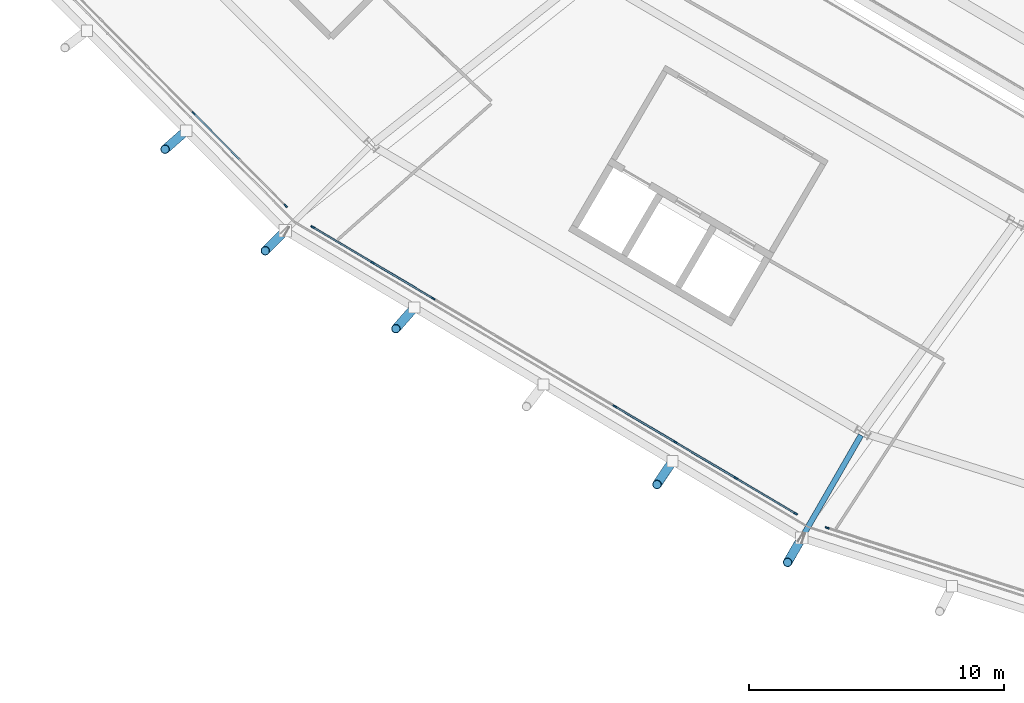
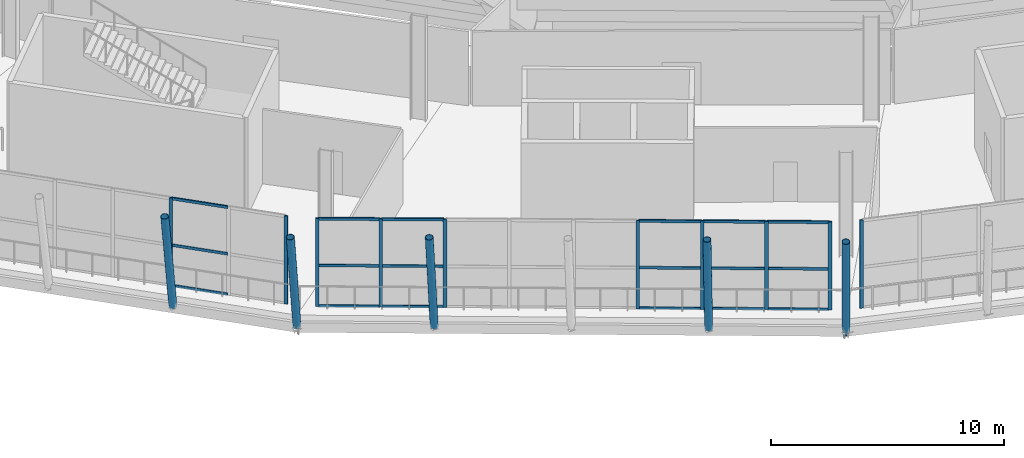
# One storey, part 12 of 126: 33 members, 1 beam, 3 elements without a shape of their own.
"""IFC4 building model written with IfcOpenShell, lengths in metres."""

from ifc_helpers import new_model, si_unit, direction, frame, origin, origin_2d, place, context, subcontext, project, spatial, rectangle, hollow_circle, i_section, extrude, material, material_profile, profile_set, type_object, element, aggregate, save


model = new_model("IFC4")

# Units and contexts
model_context = context("Model", 3, precision=1e-05, world=origin(), true_north=direction((0.0, 1.0)))
body_context = subcontext(model_context, "Body", "Model", "MODEL_VIEW")
ifc_project = project(units=[si_unit("LENGTHUNIT", "METRE"), si_unit("AREAUNIT", "SQUARE_METRE"), si_unit("VOLUMEUNIT", "CUBIC_METRE"), si_unit("PLANEANGLEUNIT", "RADIAN"), si_unit("MASSUNIT", "GRAM", prefix="KILO")], contexts=[model_context])

# Site, building, storey
site_placement = place(None, origin())
site = spatial("IfcSite", under=ifc_project, at=site_placement, CompositionType="ELEMENT")
building_placement = place(site_placement, origin())
building = spatial("IfcBuilding", under=site, at=building_placement, Name="Zlatoyarsky Gate Stadium", CompositionType="ELEMENT")
storey_placement = place(building_placement, frame((0.0, 0.0, 20.800048828125)))
storey = spatial("IfcBuildingStorey", under=building, at=storey_placement, Name="L04", CompositionType="ELEMENT", Elevation=20.800048828125)

# Curtain wall, members
ifc_material_1 = material(Name="Thermally broken anodised aluminium curtain wall", Category="aluminium")
curtain_wall_type = type_object("IfcCurtainWallType", Name="UNITISED MEDIA RING GLAZING L04", PredefinedType="USERDEFINED", material=ifc_material_1)
curtain_wall_1_placement = place(storey_placement, origin())
curtain_wall_1 = element("IfcCurtainWall", 1, at=curtain_wall_1_placement, inside=storey, type_object=curtain_wall_type, Name="Curtain wall CW-L04-14", ObjectType="UNITISED GLAZING", PredefinedType="USERDEFINED")
ifc_material_2 = material(Name="Anodised aluminium 6063-T6", Category="aluminium")
ifc_material_profile_1 = material_profile(ifc_material_2, rectangle(XDim=0.06494140625, YDim=0.159912109375, at=origin_2d()), Name="ALU 65X160")
ifc_profile_set_1 = profile_set([ifc_material_profile_1], Name="Anodised aluminium 6063-T6")
member_type_1 = type_object("IfcMemberType", Name="ALUMINIUM MULLION 65X160", PredefinedType="MULLION", material=ifc_profile_set_1)
member_1_placement = place(storey_placement, frame((38.27587890625, 31.035400390625, 0.0), z_axis=(0.0, 0.0, 1.0), x_axis=(0.709870536386, 0.704332181269, 0.0)))
member_1 = element("IfcMember", 2, at=member_1_placement, type_object=member_type_1, Name="CW-UG4 mullion 7", PredefinedType="MULLION", context=body_context, shape_type="SweptSolid", body=[
    extrude(rectangle(XDim=0.06494140625, YDim=0.159912109375, at=origin_2d()), origin(), (0.0, 0.0, 1.0), 4.619873046875),
])
member_2_placement = place(storey_placement, frame((41.880615234375, 27.40234375, 0.0), z_axis=(0.0, 0.0, 1.0), x_axis=(0.709870536386, 0.704332181269, 0.0)))
member_2 = element("IfcMember", 3, at=member_2_placement, type_object=member_type_1, Name="CW-UG4 mullion 9", PredefinedType="MULLION", context=body_context, shape_type="SweptSolid", body=[
    extrude(rectangle(XDim=0.06494140625, YDim=0.159912109375, at=origin_2d()), origin(), (0.0, 0.0, 1.0), 4.619873046875),
])

curtain_wall_2_placement = place(storey_placement, origin())
curtain_wall_2 = element("IfcCurtainWall", 4, at=curtain_wall_2_placement, inside=storey, type_object=curtain_wall_type, Name="Curtain wall CW-L04-15", ObjectType="UNITISED GLAZING", PredefinedType="USERDEFINED")
member_3_placement = place(storey_placement, frame((42.9482421875, 26.569580078125, 0.0), z_axis=(0.0, 0.0, 1.0), x_axis=(0.510330476285, 0.859978374713, 0.0)))
member_3 = element("IfcMember", 5, at=member_3_placement, type_object=member_type_1, Name="CW-UG4 mullion 1", PredefinedType="MULLION", context=body_context, shape_type="SweptSolid", body=[
    extrude(rectangle(XDim=0.06494140625, YDim=0.159912109375, at=origin_2d()), origin(), (0.0, 0.0, 1.0), 4.619873046875),
])
member_4_placement = place(storey_placement, frame((45.293701171875, 25.177734375, 0.0), z_axis=(0.0, 0.0, 1.0), x_axis=(0.510330476285, 0.859978374713, 0.0)))
member_4 = element("IfcMember", 6, at=member_4_placement, type_object=member_type_1, Name="CW-UG4 mullion 2", PredefinedType="MULLION", context=body_context, shape_type="SweptSolid", body=[
    extrude(rectangle(XDim=0.06494140625, YDim=0.159912109375, at=origin_2d()), origin(), (0.0, 0.0, 1.0), 4.619873046875),
])
member_5_placement = place(storey_placement, frame((47.666748046875, 23.76953125, 0.0), z_axis=(0.0, 0.0, 1.0), x_axis=(0.510330476285, 0.859978374713, 0.0)))
member_5 = element("IfcMember", 7, at=member_5_placement, type_object=member_type_1, Name="CW-UG4 mullion 3", PredefinedType="MULLION", context=body_context, shape_type="SweptSolid", body=[
    extrude(rectangle(XDim=0.06494140625, YDim=0.159912109375, at=origin_2d()), origin(), (0.0, 0.0, 1.0), 4.619873046875),
])
member_6_placement = place(storey_placement, frame((54.78662109375, 19.54443359375, 0.0), z_axis=(0.0, 0.0, 1.0), x_axis=(0.510330476285, 0.859978374713, 0.0)))
member_6 = element("IfcMember", 8, at=member_6_placement, type_object=member_type_1, Name="CW-UG4 mullion 6", PredefinedType="MULLION", context=body_context, shape_type="SweptSolid", body=[
    extrude(rectangle(XDim=0.06494140625, YDim=0.159912109375, at=origin_2d()), origin(), (0.0, 0.0, 1.0), 4.619873046875),
])
member_7_placement = place(storey_placement, frame((57.15966796875, 18.13623046875, 0.0), z_axis=(0.0, 0.0, 1.0), x_axis=(0.510330476285, 0.859978374713, 0.0)))
member_7 = element("IfcMember", 9, at=member_7_placement, type_object=member_type_1, Name="CW-UG4 mullion 7", PredefinedType="MULLION", context=body_context, shape_type="SweptSolid", body=[
    extrude(rectangle(XDim=0.06494140625, YDim=0.159912109375, at=origin_2d()), origin(), (0.0, 0.0, 1.0), 4.619873046875),
])
member_8_placement = place(storey_placement, frame((59.532958984375, 16.727783203125, 0.0), z_axis=(0.0, 0.0, 1.0), x_axis=(0.510330476285, 0.859978374713, 0.0)))
member_8 = element("IfcMember", 10, at=member_8_placement, type_object=member_type_1, Name="CW-UG4 mullion 8", PredefinedType="MULLION", context=body_context, shape_type="SweptSolid", body=[
    extrude(rectangle(XDim=0.06494140625, YDim=0.159912109375, at=origin_2d()), origin(), (0.0, 0.0, 1.0), 4.619873046875),
])
member_9_placement = place(storey_placement, frame((61.878173828125, 15.336181640625, 0.0), z_axis=(0.0, 0.0, 1.0), x_axis=(0.510330476285, 0.859978374713, 0.0)))
member_9 = element("IfcMember", 11, at=member_9_placement, type_object=member_type_1, Name="CW-UG4 mullion 9", PredefinedType="MULLION", context=body_context, shape_type="SweptSolid", body=[
    extrude(rectangle(XDim=0.06494140625, YDim=0.159912109375, at=origin_2d()), origin(), (0.0, 0.0, 1.0), 4.619873046875),
])

# Curtain wall, member
curtain_wall_3_placement = place(storey_placement, origin())
curtain_wall_3 = element("IfcCurtainWall", 12, at=curtain_wall_3_placement, inside=storey, type_object=curtain_wall_type, Name="Curtain wall CW-L04-16", ObjectType="UNITISED GLAZING", PredefinedType="USERDEFINED")
member_10_placement = place(storey_placement, frame((63.115234375, 14.779541015625, 0.0), z_axis=(0.0, 0.0, 1.0), x_axis=(0.305065730928, 0.952331297298, 0.0)))
member_10 = element("IfcMember", 13, at=member_10_placement, type_object=member_type_1, Name="CW-UG4 mullion 1", PredefinedType="MULLION", context=body_context, shape_type="SweptSolid", body=[
    extrude(rectangle(XDim=0.06494140625, YDim=0.159912109375, at=origin_2d()), origin(), (0.0, 0.0, 1.0), 4.619873046875),
])
aggregate(curtain_wall_3, [member_10])

# Member
ifc_material_profile_2 = material_profile(ifc_material_2, rectangle(XDim=0.06494140625, YDim=0.139892578125, at=origin_2d()), Name="ALU 65X140")
ifc_profile_set_2 = profile_set([ifc_material_profile_2], Name="Anodised aluminium 6063-T6")
member_type_2 = type_object("IfcMemberType", Name="ALUMINIUM TRANSOM 65X140", PredefinedType="USERDEFINED", material=ifc_profile_set_2)
member_11_placement = place(storey_placement, frame((38.298828125, 31.01220703125, 0.032470703125), z_axis=(0.70432954627, -0.709873150818, 0.0), x_axis=(0.709873150818, 0.70432954627, 0.0)))
member_11 = element("IfcMember", 14, at=member_11_placement, type_object=member_type_2, Name="CW-UG4 transom 7.1", ObjectType="TRANSOM", PredefinedType="USERDEFINED", context=body_context, shape_type="SweptSolid", body=[
    extrude(rectangle(XDim=0.06494140625, YDim=0.139892578125, at=origin_2d()), origin(), (0.0, 0.0, 1.0), 2.51025390625),
])

member_12_placement = place(storey_placement, frame((38.298828125, 31.01220703125, 2.14990234375), z_axis=(0.70432954627, -0.709873150818, 0.0), x_axis=(0.709873150818, 0.70432954627, 0.0)))
member_12 = element("IfcMember", 15, at=member_12_placement, type_object=member_type_2, Name="CW-UG4 transom 7.2", ObjectType="TRANSOM", PredefinedType="USERDEFINED", context=body_context, shape_type="SweptSolid", body=[
    extrude(rectangle(XDim=0.06494140625, YDim=0.139892578125, at=origin_2d()), origin(), (0.0, 0.0, 1.0), 2.51025390625),
])

member_13_placement = place(storey_placement, frame((38.298828125, 31.01220703125, 4.58740234375), z_axis=(0.70432954627, -0.709873150818, 0.0), x_axis=(0.709873150818, 0.70432954627, 0.0)))
member_13 = element("IfcMember", 16, at=member_13_placement, type_object=member_type_2, Name="CW-UG4 transom 7.3", ObjectType="TRANSOM", PredefinedType="USERDEFINED", context=body_context, shape_type="SweptSolid", body=[
    extrude(rectangle(XDim=0.06494140625, YDim=0.139892578125, at=origin_2d()), origin(), (0.0, 0.0, 1.0), 2.51025390625),
])

aggregate(curtain_wall_1, [member_1, member_2, member_11, member_12, member_13])

member_14_placement = place(storey_placement, frame((42.976318359375, 26.552978515625, 0.032470703125), z_axis=(0.859959148773, -0.510362873299, 0.0), x_axis=(0.510362873299, 0.859959148773, 0.0)))
member_14 = element("IfcMember", 17, at=member_14_placement, type_object=member_type_2, Name="CW-UG4 transom 1.1", ObjectType="TRANSOM", PredefinedType="USERDEFINED", context=body_context, shape_type="SweptSolid", body=[
    extrude(rectangle(XDim=0.06494140625, YDim=0.139892578125, at=origin_2d()), origin(), (0.0, 0.0, 1.0), 2.662109375),
])

member_15_placement = place(storey_placement, frame((42.976318359375, 26.552978515625, 2.14990234375), z_axis=(0.859959148773, -0.510362873299, 0.0), x_axis=(0.510362873299, 0.859959148773, 0.0)))
member_15 = element("IfcMember", 18, at=member_15_placement, type_object=member_type_2, Name="CW-UG4 transom 1.2", ObjectType="TRANSOM", PredefinedType="USERDEFINED", context=body_context, shape_type="SweptSolid", body=[
    extrude(rectangle(XDim=0.06494140625, YDim=0.139892578125, at=origin_2d()), origin(), (0.0, 0.0, 1.0), 2.662109375),
])

member_16_placement = place(storey_placement, frame((42.976318359375, 26.552978515625, 4.58740234375), z_axis=(0.859959148773, -0.510362873299, 0.0), x_axis=(0.510362873299, 0.859959148773, 0.0)))
member_16 = element("IfcMember", 19, at=member_16_placement, type_object=member_type_2, Name="CW-UG4 transom 1.3", ObjectType="TRANSOM", PredefinedType="USERDEFINED", context=body_context, shape_type="SweptSolid", body=[
    extrude(rectangle(XDim=0.06494140625, YDim=0.139892578125, at=origin_2d()), origin(), (0.0, 0.0, 1.0), 2.662109375),
])

member_17_placement = place(storey_placement, frame((45.321533203125, 25.1611328125, 0.032470703125), z_axis=(0.860008828809, -0.510279153377, 0.0), x_axis=(0.510279153377, 0.860008828809, 0.0)))
member_17 = element("IfcMember", 20, at=member_17_placement, type_object=member_type_2, Name="CW-UG4 transom 2.1", ObjectType="TRANSOM", PredefinedType="USERDEFINED", context=body_context, shape_type="SweptSolid", body=[
    extrude(rectangle(XDim=0.06494140625, YDim=0.139892578125, at=origin_2d()), origin(), (0.0, 0.0, 1.0), 2.694580078125),
])

member_18_placement = place(storey_placement, frame((45.321533203125, 25.1611328125, 2.14990234375), z_axis=(0.860008828809, -0.510279153377, 0.0), x_axis=(0.510279153377, 0.860008828809, 0.0)))
member_18 = element("IfcMember", 21, at=member_18_placement, type_object=member_type_2, Name="CW-UG4 transom 2.2", ObjectType="TRANSOM", PredefinedType="USERDEFINED", context=body_context, shape_type="SweptSolid", body=[
    extrude(rectangle(XDim=0.06494140625, YDim=0.139892578125, at=origin_2d()), origin(), (0.0, 0.0, 1.0), 2.694580078125),
])

member_19_placement = place(storey_placement, frame((45.321533203125, 25.1611328125, 4.58740234375), z_axis=(0.860008828809, -0.510279153377, 0.0), x_axis=(0.510279153377, 0.860008828809, 0.0)))
member_19 = element("IfcMember", 22, at=member_19_placement, type_object=member_type_2, Name="CW-UG4 transom 2.3", ObjectType="TRANSOM", PredefinedType="USERDEFINED", context=body_context, shape_type="SweptSolid", body=[
    extrude(rectangle(XDim=0.06494140625, YDim=0.139892578125, at=origin_2d()), origin(), (0.0, 0.0, 1.0), 2.694580078125),
])

member_20_placement = place(storey_placement, frame((54.814453125, 19.52783203125, 0.032470703125), z_axis=(0.860008828809, -0.510279153377, 0.0), x_axis=(0.510279153377, 0.860008828809, 0.0)))
member_20 = element("IfcMember", 23, at=member_20_placement, type_object=member_type_2, Name="CW-UG4 transom 6.1", ObjectType="TRANSOM", PredefinedType="USERDEFINED", context=body_context, shape_type="SweptSolid", body=[
    extrude(rectangle(XDim=0.06494140625, YDim=0.139892578125, at=origin_2d()), origin(), (0.0, 0.0, 1.0), 2.694580078125),
])

member_21_placement = place(storey_placement, frame((54.814453125, 19.52783203125, 2.14990234375), z_axis=(0.860008828809, -0.510279153377, 0.0), x_axis=(0.510279153377, 0.860008828809, 0.0)))
member_21 = element("IfcMember", 24, at=member_21_placement, type_object=member_type_2, Name="CW-UG4 transom 6.2", ObjectType="TRANSOM", PredefinedType="USERDEFINED", context=body_context, shape_type="SweptSolid", body=[
    extrude(rectangle(XDim=0.06494140625, YDim=0.139892578125, at=origin_2d()), origin(), (0.0, 0.0, 1.0), 2.694580078125),
])

member_22_placement = place(storey_placement, frame((54.814453125, 19.52783203125, 4.58740234375), z_axis=(0.860008828809, -0.510279153377, 0.0), x_axis=(0.510279153377, 0.860008828809, 0.0)))
member_22 = element("IfcMember", 25, at=member_22_placement, type_object=member_type_2, Name="CW-UG4 transom 6.3", ObjectType="TRANSOM", PredefinedType="USERDEFINED", context=body_context, shape_type="SweptSolid", body=[
    extrude(rectangle(XDim=0.06494140625, YDim=0.139892578125, at=origin_2d()), origin(), (0.0, 0.0, 1.0), 2.694580078125),
])

member_23_placement = place(storey_placement, frame((57.187744140625, 18.11962890625, 0.032470703125), z_axis=(0.859969067163, -0.510346160486, 0.0), x_axis=(0.510346160486, 0.859969067163, 0.0)))
member_23 = element("IfcMember", 26, at=member_23_placement, type_object=member_type_2, Name="CW-UG4 transom 7.1", ObjectType="TRANSOM", PredefinedType="USERDEFINED", context=body_context, shape_type="SweptSolid", body=[
    extrude(rectangle(XDim=0.06494140625, YDim=0.139892578125, at=origin_2d()), origin(), (0.0, 0.0, 1.0), 2.69482421875),
])

member_24_placement = place(storey_placement, frame((57.187744140625, 18.11962890625, 2.14990234375), z_axis=(0.859969067163, -0.510346160486, 0.0), x_axis=(0.510346160486, 0.859969067163, 0.0)))
member_24 = element("IfcMember", 27, at=member_24_placement, type_object=member_type_2, Name="CW-UG4 transom 7.2", ObjectType="TRANSOM", PredefinedType="USERDEFINED", context=body_context, shape_type="SweptSolid", body=[
    extrude(rectangle(XDim=0.06494140625, YDim=0.139892578125, at=origin_2d()), origin(), (0.0, 0.0, 1.0), 2.69482421875),
])

member_25_placement = place(storey_placement, frame((57.187744140625, 18.11962890625, 4.58740234375), z_axis=(0.859969067163, -0.510346160486, 0.0), x_axis=(0.510346160486, 0.859969067163, 0.0)))
member_25 = element("IfcMember", 28, at=member_25_placement, type_object=member_type_2, Name="CW-UG4 transom 7.3", ObjectType="TRANSOM", PredefinedType="USERDEFINED", context=body_context, shape_type="SweptSolid", body=[
    extrude(rectangle(XDim=0.06494140625, YDim=0.139892578125, at=origin_2d()), origin(), (0.0, 0.0, 1.0), 2.69482421875),
])

member_26_placement = place(storey_placement, frame((59.56103515625, 16.711181640625, 0.032470703125), z_axis=(0.859999398438, -0.5102950467, 0.0), x_axis=(0.5102950467, 0.859999398438, 0.0)))
member_26 = element("IfcMember", 29, at=member_26_placement, type_object=member_type_2, Name="CW-UG4 transom 8.1", ObjectType="TRANSOM", PredefinedType="USERDEFINED", context=body_context, shape_type="SweptSolid", body=[
    extrude(rectangle(XDim=0.06494140625, YDim=0.139892578125, at=origin_2d()), origin(), (0.0, 0.0, 1.0), 2.661865234375),
])

member_27_placement = place(storey_placement, frame((59.56103515625, 16.711181640625, 2.14990234375), z_axis=(0.859999398438, -0.5102950467, 0.0), x_axis=(0.5102950467, 0.859999398438, 0.0)))
member_27 = element("IfcMember", 30, at=member_27_placement, type_object=member_type_2, Name="CW-UG4 transom 8.2", ObjectType="TRANSOM", PredefinedType="USERDEFINED", context=body_context, shape_type="SweptSolid", body=[
    extrude(rectangle(XDim=0.06494140625, YDim=0.139892578125, at=origin_2d()), origin(), (0.0, 0.0, 1.0), 2.661865234375),
])

member_28_placement = place(storey_placement, frame((59.56103515625, 16.711181640625, 4.58740234375), z_axis=(0.859999398438, -0.5102950467, 0.0), x_axis=(0.5102950467, 0.859999398438, 0.0)))
member_28 = element("IfcMember", 31, at=member_28_placement, type_object=member_type_2, Name="CW-UG4 transom 8.3", ObjectType="TRANSOM", PredefinedType="USERDEFINED", context=body_context, shape_type="SweptSolid", body=[
    extrude(rectangle(XDim=0.06494140625, YDim=0.139892578125, at=origin_2d()), origin(), (0.0, 0.0, 1.0), 2.661865234375),
])

aggregate(curtain_wall_2, [member_3, member_4, member_5, member_6, member_7, member_8, member_9, member_14, member_15, member_16, member_17, member_18, member_19, member_20, member_21, member_22, member_23, member_24, member_25, member_26, member_27, member_28])

# Beam
ifc_material_3 = material(Name="Steel S355", Category="steel")
ifc_material_profile_3 = material_profile(ifc_material_3, i_section(OverallWidth=0.219970703125, OverallDepth=0.60009765625, WebThickness=0.011962890625, FlangeThickness=0.01904296875, FilletRadius=0.02392578125, at=origin_2d()), Name="IPE 600")
ifc_profile_set_3 = profile_set([ifc_material_profile_3], Name="Steel S355")
beam_type = type_object("IfcBeamType", Name="STEEL CANTILEVER FLOOR BEAM IPE 600", PredefinedType="BEAM", material=ifc_profile_set_3)
beam_placement = place(storey_placement, frame((64.43994140625, 18.408203125, -0.60009765625), z_axis=(-0.499990627519, -0.866030814921, 0.0), x_axis=(0.866030814921, -0.499990627519, 0.0)))
element("IfcBeam", 32, at=beam_placement, inside=storey, type_object=beam_type, Name="Beam B-IPE600 BM-L04-OUT-16", PredefinedType="BEAM", context=body_context, shape_type="SweptSolid", body=[
    extrude(i_section(OverallWidth=0.219970703125, OverallDepth=0.60009765625, WebThickness=0.011962890625, FlangeThickness=0.01904296875, FilletRadius=0.02392578125, at=origin_2d()), origin(), (0.0, 0.0, 1.0), 4.6494140625),
])

# Members
ifc_material_profile_4 = material_profile(ifc_material_3, hollow_circle(Radius=0.177734375, WallThickness=0.02001953125, at=origin_2d()), Name="CHS 355.6X20")
ifc_profile_set_4 = profile_set([ifc_material_profile_4], Name="Steel S355")
member_type_3 = type_object("IfcMemberType", Name="STEEL LEANING RIB RING STRUT CHS 355.6X20", PredefinedType="STRUT", material=ifc_profile_set_4)
for number, where, z_axis, x_axis, name in (
    (33, (41.866455078125, 26.4228515625, -0.60009765625), (-0.141204793351, -0.141204793351, 0.979858363576), (0.707106781187, -0.707106781187, 0.0), "Leaning ring strut 15 L04 to L05"),
    (34, (62.115234375, 14.381591796875, -0.60009765625), (-0.09986826807, -0.172911505966, 0.979861184116), (0.865943500606, -0.500141833641, 0.0), "Leaning ring strut 16 L04 to L05"),
):
    element("IfcMember", number, at=place(storey_placement, frame(where, z_axis=z_axis, x_axis=x_axis)), inside=storey, type_object=member_type_3, Name=name, PredefinedType="STRUT", context=body_context, shape_type="SweptSolid", body=[
        extrude(hollow_circle(Radius=0.177734375, WallThickness=0.02001953125, at=origin_2d()), origin(), (0.0, 0.0, 1.0), 5.5517578125),
    ])
for number, where, z_axis, x_axis, name in (
    (35, (37.982177734375, 30.345947265625, -0.550048828125), (-0.149158661821, -0.130904210433, 0.980110086314), (0.659617999854, -0.751601020667, 0.0), "Outward-leaning bowl louvre fin rib L04 14-3"),
    (36, (46.9287109375, 23.41259765625, -0.550048828125), (-0.130904210433, -0.149158661821, 0.980110086314), (0.751601020667, -0.659617999854, 0.0), "Outward-leaning bowl louvre fin rib L04 15-1"),
    (37, (57.052978515625, 17.391845703125, -0.550048828125), (-0.110186819887, -0.165038302682, 0.980112862568), (0.831674984151, -0.55526274928, 0.0), "Outward-leaning bowl louvre fin rib L04 15-3"),
):
    element("IfcMember", number, at=place(storey_placement, frame(where, z_axis=z_axis, x_axis=x_axis)), inside=storey, type_object=member_type_3, Name=name, PredefinedType="STRUT", context=body_context, shape_type="SweptSolid", body=[
        extrude(hollow_circle(Radius=0.177734375, WallThickness=0.02001953125, at=origin_2d()), origin(), (0.0, 0.0, 1.0), 5.55029296875),
    ])

save(model, "model.ifc")
